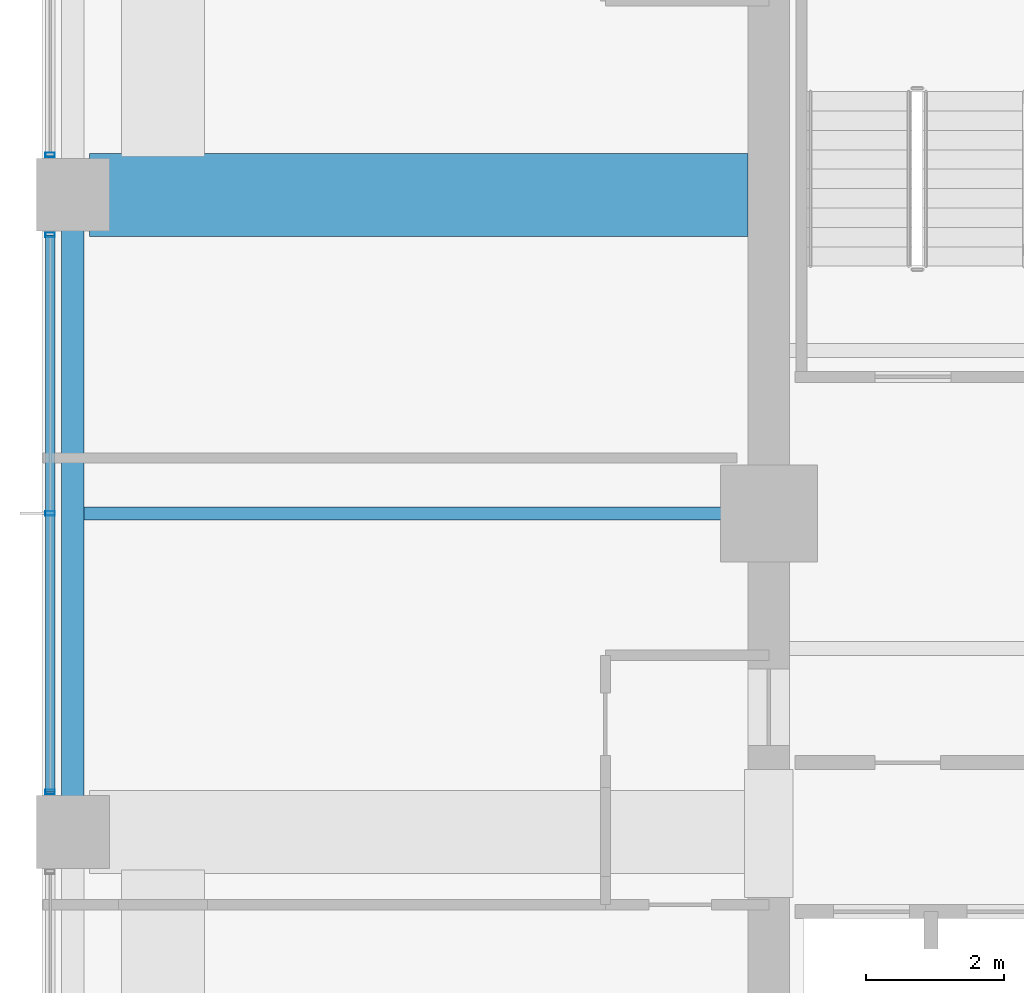
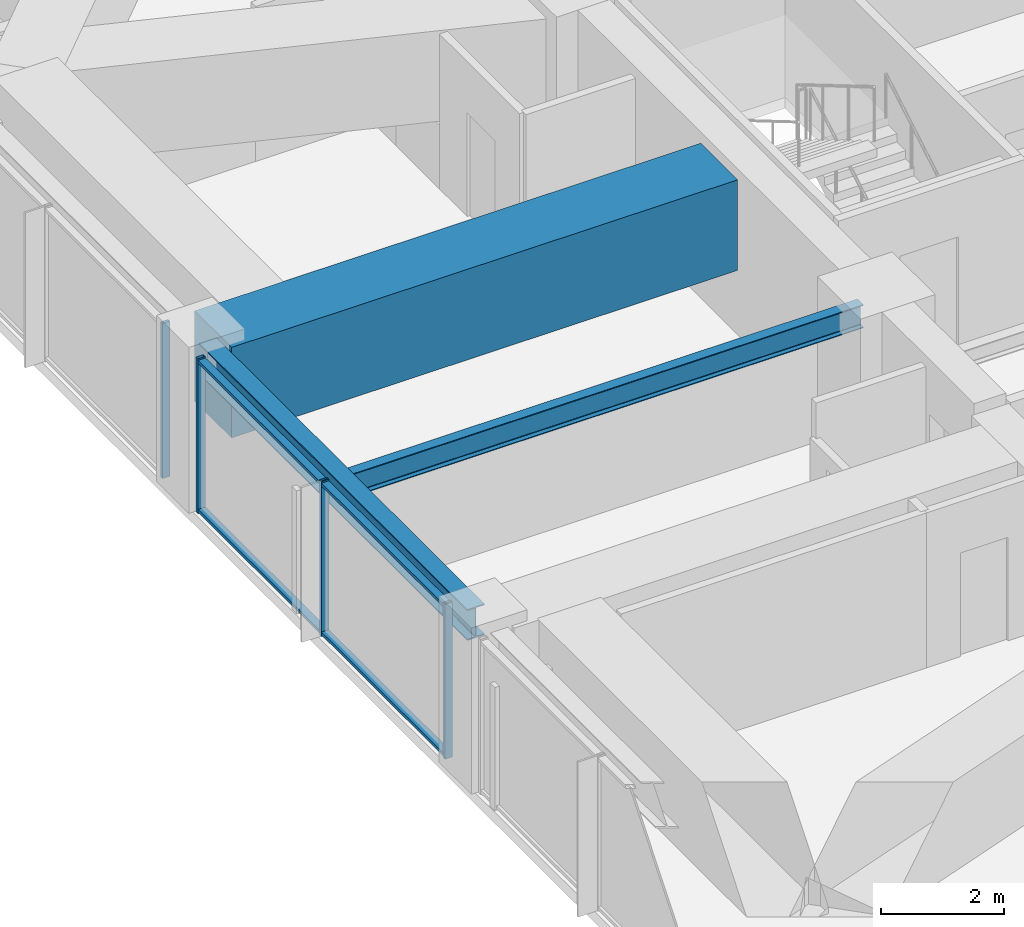
# One storey, part 9 of 34: 6 members, 3 beams, 2 elements without a shape of their own.
"""IFC4 building model written with IfcOpenShell, lengths in metres."""

import ifcopenshell
import ifcopenshell.guid

model = None  # the IFC model being written
_history = None  # IfcOwnerHistory: only IFC2X3 demands one
_inside = {}  # id of a spatial element -> (the spatial element, [elements in it])
_under = {}  # id of a project, library or spatial element -> (it, [spatial elements below it])
_declared = {}  # id of a project -> (the project, [libraries it declares])
_typed = {}  # id of a type object -> (the type object, [elements of that type])
_made_of = {}  # id of a material, layer set ... -> (it, [elements and type objects made of it])


def new_model(schema):
    """Start an empty IFC model of exactly this schema.

    Asked for "IFC4X3", IfcOpenShell would pick the latest addendum, in which some entities
    have other attributes; the version numbers below select the first issue.
    IFC2X3 requires an IfcOwnerHistory on every rooted entity: one is made here for all.
    """
    global model, _history
    if schema == "IFC4X3":
        model = ifcopenshell.file(schema_version=(4, 3, 0, 0))
    else:
        model = ifcopenshell.file(schema=schema)
    _inside.clear()
    _under.clear()
    _declared.clear()
    _typed.clear()
    _made_of.clear()
    _history = None
    if model.schema == "IFC2X3":
        org = make("IfcOrganization", Name="unknown")
        user = make(
            "IfcPersonAndOrganization",
            ThePerson=make("IfcPerson", FamilyName="unknown"),
            TheOrganization=org,
        )
        app = make(
            "IfcApplication",
            ApplicationDeveloper=org,
            Version="unknown",
            ApplicationFullName="unknown",
            ApplicationIdentifier="unknown",
        )
        _history = make(
            "IfcOwnerHistory",
            OwningUser=user,
            OwningApplication=app,
            ChangeAction="ADDED",
            CreationDate=0,
        )
    return model


def make(cls, **values):
    """One entity of the class cls with the attributes given. An attribute that is None is left unset."""
    return model.create_entity(
        cls, **{name: value for name, value in values.items() if value is not None}
    )


def rooted(cls, **values):
    """An entity with a GlobalId (a new one), such as an element, a storey or a relation."""
    return make(cls, GlobalId=ifcopenshell.guid.new(), OwnerHistory=_history, **values)


def si_unit(unit_type, name, prefix=None):
    """IfcSIUnit, for example si_unit("LENGTHUNIT", "METRE", prefix="MILLI")."""
    return make("IfcSIUnit", UnitType=unit_type, Prefix=prefix, Name=name)


def assignment(units):
    """IfcUnitAssignment: the units of a project."""
    return None if units is None else make("IfcUnitAssignment", Units=units)


def point(xyz):
    """IfcCartesianPoint."""
    return None if xyz is None else make("IfcCartesianPoint", Coordinates=xyz)


def direction(xyz):
    """IfcDirection."""
    return None if xyz is None else make("IfcDirection", DirectionRatios=xyz)


def frame(location, z_axis=None, x_axis=None):
    """IfcAxis2Placement3D, a coordinate frame: its origin and axes. An axis left out is left unset."""
    return make(
        "IfcAxis2Placement3D",
        Location=point(location),
        Axis=direction(z_axis),
        RefDirection=direction(x_axis),
    )


def frame_2d(location, x_axis=None):
    """IfcAxis2Placement2D, a coordinate frame in the plane: its origin and x axis."""
    return make(
        "IfcAxis2Placement2D", Location=point(location), RefDirection=direction(x_axis)
    )


def origin():
    """The frame at (0, 0, 0) with its axes left unset."""
    return frame((0.0, 0.0, 0.0))


def origin_2d():
    """The frame at (0, 0) in the plane with its x axis left unset."""
    return frame_2d((0.0, 0.0))


def place(relative_to, where):
    """IfcLocalPlacement: puts the frame where relative to a parent placement (None: the world)."""
    return make(
        "IfcLocalPlacement", PlacementRelTo=relative_to, RelativePlacement=where
    )


def context(
    kind, dimensions, precision=None, world=None, true_north=None, identifier=None
):
    """IfcGeometricRepresentationContext, for example the 3D "Model" context."""
    return make(
        "IfcGeometricRepresentationContext",
        ContextIdentifier=identifier,
        ContextType=kind,
        CoordinateSpaceDimension=dimensions,
        Precision=precision,
        WorldCoordinateSystem=world,
        TrueNorth=true_north,
    )


def subcontext(parent, identifier, kind, view, scale=None):
    """IfcGeometricRepresentationSubContext, for example "Body" below "Model"."""
    return make(
        "IfcGeometricRepresentationSubContext",
        ContextIdentifier=identifier,
        ContextType=kind,
        ParentContext=parent,
        TargetScale=scale,
        TargetView=view,
    )


def project(units=None, contexts=None):
    """IfcProject with its units and contexts."""
    return rooted(
        "IfcProject",
        Name="project",
        RepresentationContexts=contexts,
        UnitsInContext=assignment(units),
    )


def spatial(cls, under=None, at=None, **own):
    """A site, building, storey or space (cls), placed at a placement, below another one or the project."""
    s = rooted(cls, ObjectPlacement=at, **own)
    if under is not None:
        _under.setdefault(under.id(), (under, []))[1].append(s)
    return s


def profile(cls, at=None, kind="AREA", **sizes):
    """A parametric profile (cls). Its sizes go by their IFC names, for example OverallWidth=200.0."""
    return make(cls, ProfileType=kind, Position=at, **sizes)


def rectangle(**sizes):
    """IfcRectangleProfileDef."""
    return profile("IfcRectangleProfileDef", **sizes)


def hollow_rectangle(**sizes):
    """IfcRectangleHollowProfileDef."""
    return profile("IfcRectangleHollowProfileDef", **sizes)


def i_section(**sizes):
    """IfcIShapeProfileDef."""
    return profile("IfcIShapeProfileDef", **sizes)


def extrude(swept, where, along, depth):
    """IfcExtrudedAreaSolid: the profile swept, set in the frame where, extruded along a direction by depth."""
    return make(
        "IfcExtrudedAreaSolid",
        SweptArea=swept,
        Position=where,
        ExtrudedDirection=direction(along),
        Depth=depth,
    )


def shape(context_of_items, identifier, shape_type, items):
    """IfcShapeRepresentation: the items that make up one representation, for example the "Body"."""
    return make(
        "IfcShapeRepresentation",
        ContextOfItems=context_of_items,
        RepresentationIdentifier=identifier,
        RepresentationType=shape_type,
        Items=items,
    )


def material(Name=None, Category=None):
    """IfcMaterial."""
    return make("IfcMaterial", Name=Name, Category=Category)


def material_profile(
    of_material, cross_section, Name=None, Category=None, Priority=None
):
    """IfcMaterialProfile: a cross section and its material."""
    return make(
        "IfcMaterialProfile",
        Name=Name,
        Material=of_material,
        Profile=cross_section,
        Priority=Priority,
        Category=Category,
    )


def profile_set(profiles, Name=None, composite=None):
    """IfcMaterialProfileSet."""
    return make(
        "IfcMaterialProfileSet",
        Name=Name,
        MaterialProfiles=profiles,
        CompositeProfile=composite,
    )


def made_of(thing, what):
    """Note that an element or type object is made of a material, layer set ...; save() writes the relation."""
    if what is not None:
        _made_of.setdefault(what.id(), (what, []))[1].append(thing)
    return thing


def type_object(cls, material=None, **own):
    """A type object (cls), such as IfcWallType, which elements share."""
    return made_of(rooted(cls, **own), material)


def element(
    cls,
    number,
    at=None,
    inside=None,
    cuts=None,
    type_object=None,
    material=None,
    context=None,
    identifier="Body",
    shape_type=None,
    held_by="IfcProductDefinitionShape",
    body=None,
    shapes=None,
    **own,
):
    """One element of the class cls, such as IfcWall. Its Tag is "e" and its number.

    at: its placement. inside: the storey or other place that contains it. cuts: it is an
    opening in that element (IfcRelVoidsElement). A single representation is given by context,
    identifier, shape_type and body (its items); several are given by shapes. held_by: the class
    of the entity that holds the representations. save() writes the other relations.
    """
    e = rooted(cls, Tag="e%d" % number, ObjectPlacement=at, **own)
    if body is not None:
        shapes = [shape(context, identifier, shape_type, body)]
    if shapes is not None:
        e.Representation = make(held_by, Representations=shapes)
    if inside is not None:
        _inside.setdefault(inside.id(), (inside, []))[1].append(e)
    if cuts is not None:
        rooted(
            "IfcRelVoidsElement", RelatingBuildingElement=cuts, RelatedOpeningElement=e
        )
    if type_object is not None:
        _typed.setdefault(type_object.id(), (type_object, []))[1].append(e)
    return made_of(e, material)


def aggregate(whole, parts):
    """IfcRelAggregates: a whole, such as a stair, and the parts it consists of."""
    return rooted("IfcRelAggregates", RelatingObject=whole, RelatedObjects=parts)


def save(model, path):
    """Write the relations noted so far, then the file.

    IfcRelAggregates (storeys below a building ...), IfcRelContainedInSpatialStructure (elements
    in a storey), IfcRelDefinesByType, IfcRelAssociatesMaterial and IfcRelDeclares: one each for
    every whole, place, type object, material and project.
    """
    for whole, parts in _under.values():
        aggregate(whole, parts)
    for where, things in _inside.values():
        rooted(
            "IfcRelContainedInSpatialStructure",
            RelatedElements=things,
            RelatingStructure=where,
        )
    for kind, things in _typed.values():
        rooted("IfcRelDefinesByType", RelatedObjects=things, RelatingType=kind)
    for what, things in _made_of.values():
        rooted("IfcRelAssociatesMaterial", RelatedObjects=things, RelatingMaterial=what)
    for by, libraries in _declared.values():
        rooted("IfcRelDeclares", RelatingContext=by, RelatedDefinitions=libraries)
    model.write(path)


model = new_model("IFC4")

# Units and contexts
model_context = context("Model", 3, precision=1e-05, world=origin(), true_north=direction((0.0, 1.0)))
body_context = subcontext(model_context, "Body", "Model", "MODEL_VIEW")
ifc_project = project(units=[si_unit("LENGTHUNIT", "METRE"), si_unit("AREAUNIT", "SQUARE_METRE"), si_unit("VOLUMEUNIT", "CUBIC_METRE"), si_unit("PLANEANGLEUNIT", "RADIAN"), si_unit("MASSUNIT", "GRAM", prefix="KILO")], contexts=[model_context])

# Site, building, storey
site_placement = place(None, origin())
site = spatial("IfcSite", under=ifc_project, at=site_placement, CompositionType="ELEMENT")
building_placement = place(site_placement, origin())
building = spatial("IfcBuilding", under=site, at=building_placement, Name="Kolvaren Belvedere", CompositionType="ELEMENT")
storey_placement = place(building_placement, frame((0.0, 0.0, 105.199951171875)))
storey = spatial("IfcBuildingStorey", under=building, at=storey_placement, Name="L30", CompositionType="ELEMENT", Elevation=105.199951171875)

# Beams
ifc_material_1 = material(Name="Structural steel ASTM A992 Grade 50", Category="steel")
ifc_material_profile_1 = material_profile(ifc_material_1, i_section(OverallWidth=0.19091796875, OverallDepth=0.4599609375, WebThickness=0.010009765625, FlangeThickness=0.01611328125, FilletRadius=0.014892578125, at=origin_2d()), Name="W18X55")
ifc_profile_set_1 = profile_set([ifc_material_profile_1], Name="Structural steel ASTM A992 Grade 50")
beam_type_1 = type_object("IfcBeamType", Name="BM-JOIST-W18X55", PredefinedType="BEAM", material=ifc_profile_set_1)
beam_1_placement = place(storey_placement, frame((-10.199951171875, 0.0, 2.85009765625), z_axis=(-1.0, 0.0, 0.0), x_axis=(0.0, -1.0, 0.0)))
element("IfcBeam", 1, at=beam_1_placement, inside=storey, type_object=beam_type_1, Name="L30 West Centre Floor Beam", PredefinedType="BEAM", context=body_context, shape_type="SweptSolid", body=[
    extrude(i_section(OverallWidth=0.19091796875, OverallDepth=0.4599609375, WebThickness=0.010009765625, FlangeThickness=0.01611328125, FilletRadius=0.014892578125, at=origin_2d()), origin(), (0.0, 0.0, 1.0), 9.587646484375),
])
ifc_material_2 = material(Name="Structural steel ASTM A992 Grade 50", Category="steel")
ifc_material_profile_2 = material_profile(ifc_material_2, i_section(OverallWidth=0.324951171875, OverallDepth=0.615966796875, WebThickness=0.013916015625, FlangeThickness=0.021484375, FilletRadius=0.02001953125, at=origin_2d()), Name="W24X117")
ifc_profile_set_2 = profile_set([ifc_material_profile_2], Name="Structural steel ASTM A992 Grade 50")
beam_type_2 = type_object("IfcBeamType", Name="BM-SPAN-W24X117", PredefinedType="SPANDREL", material=ifc_profile_set_2)
beam_2_placement = place(storey_placement, frame((-19.949951171875, 4.36376953125, 2.77197265625), z_axis=(0.0, -1.0, 0.0), x_axis=(1.0, 0.0, 0.0)))
element("IfcBeam", 2, at=beam_2_placement, inside=storey, type_object=beam_type_2, Name="L30 Perimeter Spandrel W3-W2", PredefinedType="SPANDREL", context=body_context, shape_type="SweptSolid", body=[
    extrude(i_section(OverallWidth=0.324951171875, OverallDepth=0.615966796875, WebThickness=0.013916015625, FlangeThickness=0.021484375, FilletRadius=0.02001953125, at=origin_2d()), origin(), (0.0, 0.0, 1.0), 8.7275390625),
])
ifc_material_3 = material(Name="Concrete C50/60", Category="concrete")
ifc_material_profile_3 = material_profile(ifc_material_3, rectangle(XDim=1.199951171875, YDim=1.800048828125, at=origin_2d()), Name="RC 1200X1800")
ifc_profile_set_3 = profile_set([ifc_material_profile_3], Name="Concrete C50/60")
beam_type_3 = type_object("IfcBeamType", Name="BM-TG-1800", PredefinedType="BEAM", material=ifc_profile_set_3)
beam_3_placement = place(storey_placement, frame((-10.199951171875, 4.60009765625, 2.179931640625), z_axis=(-1.0, 0.0, 0.0), x_axis=(0.0, -1.0, 0.0)))
element("IfcBeam", 3, at=beam_3_placement, inside=storey, type_object=beam_type_3, Name="L30 West Radial Girder P", PredefinedType="BEAM", context=body_context, shape_type="SweptSolid", body=[
    extrude(rectangle(XDim=1.199951171875, YDim=1.800048828125, at=origin_2d()), origin(), (0.0, 0.0, 1.0), 9.513916015625),
])

# Curtain wall, members
ifc_material_4 = material(Name="Anodised pale-metal aluminium AA 6063-T6", Category="aluminium")
curtain_wall_type = type_object("IfcCurtainWallType", Name="CW-Z2-MID", PredefinedType="NOTDEFINED", material=ifc_material_4)
curtain_wall_1_placement = place(storey_placement, origin())
curtain_wall_1 = element("IfcCurtainWall", 4, at=curtain_wall_1_placement, inside=storey, type_object=curtain_wall_type, Name="L30 Unitised Curtain Wall FCW-L30-W-B2", PredefinedType="NOTDEFINED")
ifc_material_5 = material(Name="Anodised pale-metal aluminium AA 6063-T6", Category="aluminium")
ifc_material_profile_4 = material_profile(ifc_material_5, hollow_rectangle(XDim=0.06494140625, YDim=0.139892578125, WallThickness=0.00390625, at=origin_2d()), Name="ALU-MUL-140X65")
ifc_profile_set_4 = profile_set([ifc_material_profile_4], Name="Anodised pale-metal aluminium AA 6063-T6")
member_type_1 = type_object("IfcMemberType", Name="CW-MUL-140", PredefinedType="MULLION", material=ifc_profile_set_4)
member_1_placement = place(storey_placement, frame((-20.280029296875, -4.0224609375, 0.0), z_axis=(0.0, 0.0, 1.0), x_axis=(0.0, 1.0, 0.0)))
member_1 = element("IfcMember", 5, at=member_1_placement, type_object=member_type_1, Name="FCW-L30-W-B2 Unitised Mullion 1", PredefinedType="MULLION", context=body_context, shape_type="SweptSolid", body=[
    extrude(hollow_rectangle(XDim=0.06494140625, YDim=0.139892578125, WallThickness=0.00390625, at=origin_2d()), origin(), (0.0, 0.0, 1.0), 3.080078125),
])
member_2_placement = place(storey_placement, frame((-20.280029296875, 0.0, 0.0), z_axis=(0.0, 0.0, 1.0), x_axis=(0.0, 1.0, 0.0)))
member_2 = element("IfcMember", 6, at=member_2_placement, type_object=member_type_1, Name="FCW-L30-W-B2 Unitised Mullion 2", PredefinedType="MULLION", context=body_context, shape_type="SweptSolid", body=[
    extrude(hollow_rectangle(XDim=0.06494140625, YDim=0.139892578125, WallThickness=0.00390625, at=origin_2d()), origin(), (0.0, 0.0, 1.0), 3.080078125),
])
member_3_placement = place(storey_placement, frame((-20.280029296875, 4.0224609375, 0.0), z_axis=(0.0, 0.0, 1.0), x_axis=(0.0, 1.0, 0.0)))
member_3 = element("IfcMember", 7, at=member_3_placement, type_object=member_type_1, Name="FCW-L30-W-B2 Unitised Mullion 3", PredefinedType="MULLION", context=body_context, shape_type="SweptSolid", body=[
    extrude(hollow_rectangle(XDim=0.06494140625, YDim=0.139892578125, WallThickness=0.00390625, at=origin_2d()), origin(), (0.0, 0.0, 1.0), 3.080078125),
])

# Curtain wall, member
curtain_wall_2_placement = place(storey_placement, origin())
curtain_wall_2 = element("IfcCurtainWall", 8, at=curtain_wall_2_placement, inside=storey, type_object=curtain_wall_type, Name="L30 Unitised Curtain Wall FCW-L30-W-B3", PredefinedType="NOTDEFINED")
member_4_placement = place(storey_placement, frame((-20.280029296875, 5.177490234375, 0.0), z_axis=(0.0, 0.0, 1.0), x_axis=(0.0, 1.0, 0.0)))
member_4 = element("IfcMember", 9, at=member_4_placement, type_object=member_type_1, Name="FCW-L30-W-B3 Unitised Mullion 1", PredefinedType="MULLION", context=body_context, shape_type="SweptSolid", body=[
    extrude(hollow_rectangle(XDim=0.06494140625, YDim=0.139892578125, WallThickness=0.00390625, at=origin_2d()), origin(), (0.0, 0.0, 1.0), 3.080078125),
])
aggregate(curtain_wall_2, [member_4])

# Member
ifc_material_6 = material(Name="Anodised pale-metal aluminium AA 6063-T6", Category="aluminium")
ifc_material_profile_5 = material_profile(ifc_material_6, hollow_rectangle(XDim=0.06005859375, YDim=0.139892578125, WallThickness=0.00390625, at=origin_2d()), Name="ALU-TRN-140X60")
ifc_profile_set_5 = profile_set([ifc_material_profile_5], Name="Anodised pale-metal aluminium AA 6063-T6")
member_type_2 = type_object("IfcMemberType", Name="CW-TRN-140", PredefinedType="USERDEFINED", material=ifc_profile_set_5)
member_5_placement = place(storey_placement, frame((-20.280029296875, -4.0224609375, 0.06005859375), z_axis=(0.0, 1.0, 0.0), x_axis=(0.0, 0.0, 1.0)))
member_5 = element("IfcMember", 10, at=member_5_placement, type_object=member_type_2, Name="FCW-L30-W-B2 Sill Transom", ObjectType="TRANSOM", PredefinedType="USERDEFINED", context=body_context, shape_type="SweptSolid", body=[
    extrude(hollow_rectangle(XDim=0.06005859375, YDim=0.139892578125, WallThickness=0.00390625, at=origin_2d()), origin(), (0.0, 0.0, 1.0), 8.044921875),
])

member_6_placement = place(storey_placement, frame((-20.280029296875, -4.0224609375, 3.02001953125), z_axis=(0.0, 1.0, 0.0), x_axis=(0.0, 0.0, 1.0)))
member_6 = element("IfcMember", 11, at=member_6_placement, type_object=member_type_2, Name="FCW-L30-W-B2 Head Transom", ObjectType="TRANSOM", PredefinedType="USERDEFINED", context=body_context, shape_type="SweptSolid", body=[
    extrude(hollow_rectangle(XDim=0.06005859375, YDim=0.139892578125, WallThickness=0.00390625, at=origin_2d()), origin(), (0.0, 0.0, 1.0), 8.044921875),
])

aggregate(curtain_wall_1, [member_1, member_2, member_3, member_5, member_6])

save(model, "model.ifc")
